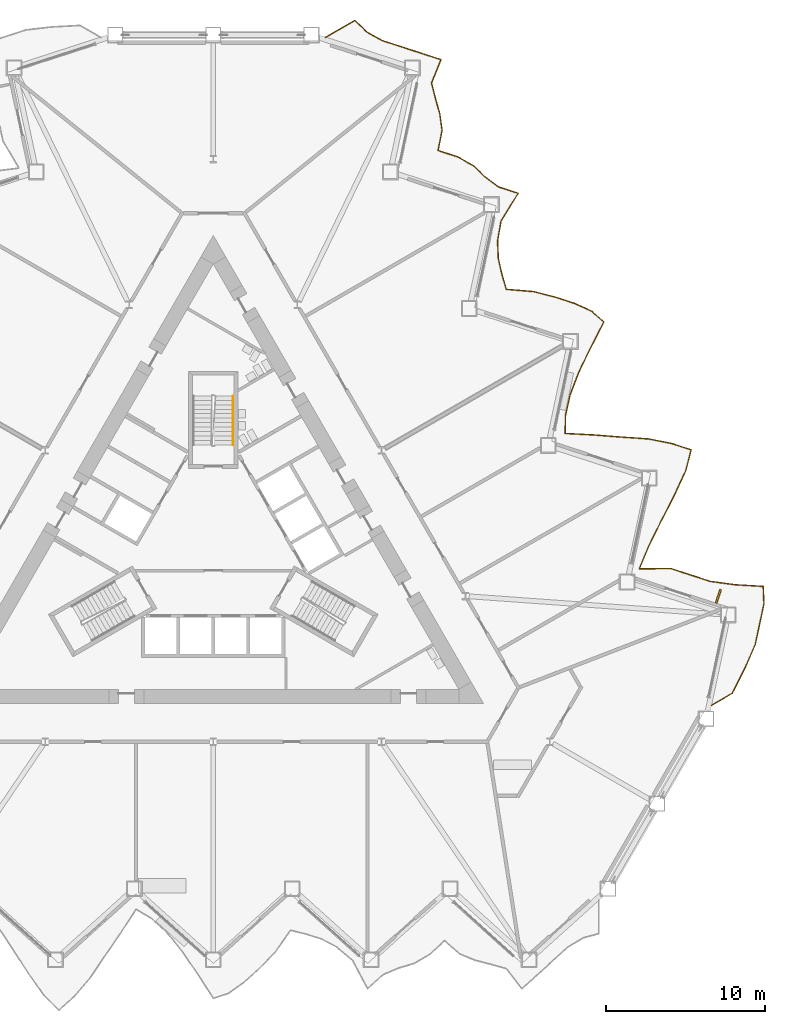
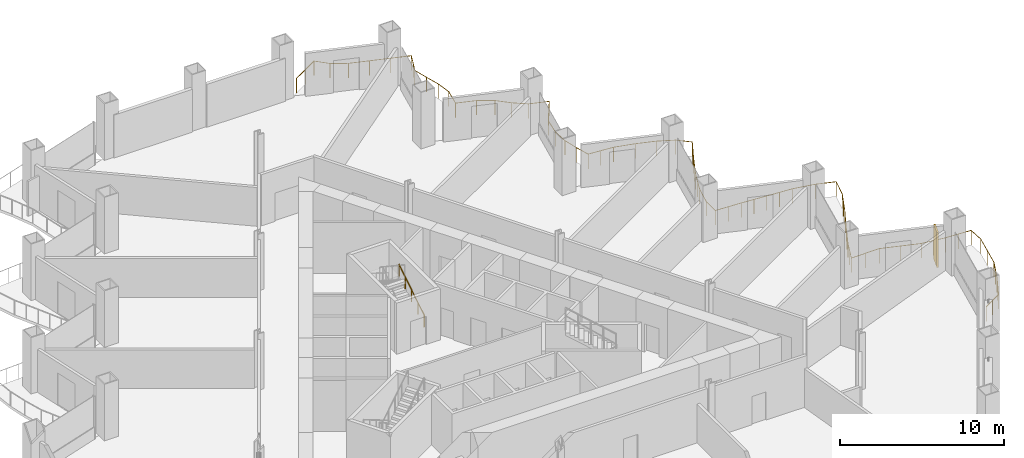
# One storey, part 19 of 21: 2 railings, 1 shading device.
"""IFC4 building model written with IfcOpenShell, lengths in metres."""

from ifc_helpers import new_model, si_unit, direction, frame, origin, origin_2d, place, context, subcontext, project, spatial, rectangle, circle, extrude, material, layer, layer_set, type_object, element, save


model = new_model("IFC4")

# Units and contexts
model_context = context("Model", 3, precision=1e-05, world=origin(), true_north=direction((0.0, 1.0)))
body_context = subcontext(model_context, "Body", "Model", "MODEL_VIEW")
ifc_project = project(units=[si_unit("LENGTHUNIT", "METRE"), si_unit("AREAUNIT", "SQUARE_METRE"), si_unit("VOLUMEUNIT", "CUBIC_METRE"), si_unit("PLANEANGLEUNIT", "RADIAN"), si_unit("MASSUNIT", "GRAM", prefix="KILO")], contexts=[model_context])

# Site, building, storey
site_placement = place(None, origin())
site = spatial("IfcSite", under=ifc_project, at=site_placement, CompositionType="ELEMENT")
building_placement = place(site_placement, origin())
building = spatial("IfcBuilding", under=site, at=building_placement, Name="Cormorant Prow Tower", CompositionType="ELEMENT")
storey_placement = place(building_placement, frame((0.0, 0.0, 42.60009765625)))
storey = spatial("IfcBuildingStorey", under=building, at=storey_placement, Name="L08", CompositionType="ELEMENT", Elevation=42.60009765625)

# Railings
ifc_material_1 = material(Name="Aluminium 6063-T6", Category="aluminium")
railing_type_1 = type_object("IfcRailingType", Name="Balcony guard 1100", PredefinedType="GUARDRAIL", material=ifc_material_1)
railing_1_placement = place(storey_placement, frame((31.3291015625, -9.928955078125, 0.0)))
element("IfcRailing", 1, at=railing_1_placement, inside=storey, type_object=railing_type_1, Name="Balcony guard ENE", PredefinedType="GUARDRAIL", context=body_context, shape_type="SweptSolid", body=[
    extrude(circle(Radius=0.02392578125, at=origin_2d()), frame((0.0, 0.0, 1.076171875), z_axis=(0.866030456496, 0.499991248344, 0.0), x_axis=(-0.499991248344, 0.866030456496, 0.0)), (0.0, 0.0, 1.0), 1.52001953125),
    extrude(circle(Radius=0.02392578125, at=origin_2d()), frame((1.31640625, 0.760009765625, 1.076171875), z_axis=(0.451937076677, 0.892049818522, 0.0), x_axis=(-0.892049818522, 0.451937076677, 0.0)), (0.0, 0.0, 1.0), 1.775634765625),
    extrude(circle(Radius=0.02392578125, at=origin_2d()), frame((2.118896484375, 2.343994140625, 1.076171875), z_axis=(0.39848525464, 0.917174738986, 0.0), x_axis=(-0.917174738986, 0.39848525464, 0.0)), (0.0, 0.0, 1.0), 1.630859375),
    extrude(circle(Radius=0.02392578125, at=origin_2d()), frame((2.768798828125, 3.83984375, 1.076171875), z_axis=(0.207894531291, 0.978151247946, 0.0), x_axis=(-0.978151247946, 0.207894531291, 0.0)), (0.0, 0.0, 1.0), 1.305908203125),
    extrude(circle(Radius=0.02392578125, at=origin_2d()), frame((3.040283203125, 5.1171875, 1.076171875), z_axis=(0.207856520253, 0.978159325973, 0.0), x_axis=(-0.978159325973, 0.207856520253, 0.0)), (0.0, 0.0, 1.0), 1.30615234375),
    extrude(circle(Radius=0.02392578125, at=origin_2d()), frame((3.311767578125, 6.394775390625, 1.076171875), z_axis=(-0.042827380547, 0.999082486823, 0.0), x_axis=(-0.999082486823, -0.042827380547, 0.0)), (0.0, 0.0, 1.0), 1.094482421875),
    extrude(circle(Radius=0.02392578125, at=origin_2d()), frame((3.264892578125, 7.48828125, 1.076171875), z_axis=(-0.998305217064, 0.058195305509, 0.0), x_axis=(-0.058195305509, -0.998305217064, 0.0)), (0.0, 0.0, 1.0), 1.76611328125),
    extrude(circle(Radius=0.02392578125, at=origin_2d()), frame((1.501708984375, 7.591064453125, 1.076171875), z_axis=(-0.990928266356, 0.134391855916, 0.0), x_axis=(-0.134391855916, -0.990928266356, 0.0)), (0.0, 0.0, 1.0), 1.5859375),
    extrude(circle(Radius=0.02392578125, at=origin_2d()), frame((-0.06982421875, 7.80419921875, 1.076171875), z_axis=(-0.951067031183, 0.308984631004, 0.0), x_axis=(-0.308984631004, -0.951067031183, 0.0)), (0.0, 0.0, 1.0), 1.30615234375),
    extrude(circle(Radius=0.02392578125, at=origin_2d()), frame((-1.31201171875, 8.207763671875, 1.076171875), z_axis=(-0.951012089022, 0.309153694033, 0.0), x_axis=(-0.309153694033, -0.951012089022, 0.0)), (0.0, 0.0, 1.0), 1.30615234375),
    extrude(circle(Radius=0.02392578125, at=origin_2d()), frame((-2.55419921875, 8.611572265625, 1.076171875), z_axis=(-0.999956902036, -0.009284076214, 0.0), x_axis=(0.009284076214, -0.999956902036, 0.0)), (0.0, 0.0, 1.0), 1.97216796875),
    extrude(circle(Radius=0.02392578125, at=origin_2d()), frame((-4.5263671875, 8.59326171875, 1.076171875), z_axis=(0.384029357558, 0.923320882756, 0.0), x_axis=(-0.923320882756, 0.384029357558, 0.0)), (0.0, 0.0, 1.0), 1.59765625),
    extrude(circle(Radius=0.02392578125, at=origin_2d()), frame((-3.912841796875, 10.068359375, 1.076171875), z_axis=(0.444874286248, 0.895593026679, 0.0), x_axis=(-0.895593026679, 0.444874286248, 0.0)), (0.0, 0.0, 1.0), 1.75439453125),
    extrude(circle(Radius=0.02392578125, at=origin_2d()), frame((-3.13232421875, 11.6396484375, 1.076171875), z_axis=(0.456252917829, 0.889850141862, 0.0), x_axis=(-0.889850141862, 0.456252917829, 0.0)), (0.0, 0.0, 1.0), 1.788818359375),
    extrude(circle(Radius=0.02392578125, at=origin_2d()), frame((-2.316162109375, 13.2314453125, 1.076171875), z_axis=(0.421357614178, 0.906894569933, 0.0), x_axis=(-0.906894569933, 0.421357614178, 0.0)), (0.0, 0.0, 1.0), 1.68896484375),
    extrude(circle(Radius=0.02392578125, at=origin_2d()), frame((-1.6044921875, 14.76318359375, 1.076171875), z_axis=(0.247192643153, 0.968966355025, 0.0), x_axis=(-0.968966355025, 0.247192643153, 0.0)), (0.0, 0.0, 1.0), 1.35595703125),
    extrude(circle(Radius=0.02392578125, at=origin_2d()), frame((-1.269287109375, 16.0771484375, 1.076171875), z_axis=(-0.951067031183, 0.308984631004, 0.0), x_axis=(-0.308984631004, -0.951067031183, 0.0)), (0.0, 0.0, 1.0), 1.30615234375),
    extrude(circle(Radius=0.02392578125, at=origin_2d()), frame((-2.511474609375, 16.480712890625, 1.076171875), z_axis=(-0.9812990528, 0.192489399639, 0.0), x_axis=(-0.192489399639, -0.9812990528, 0.0)), (0.0, 0.0, 1.0), 1.476318359375),
    extrude(circle(Radius=0.02392578125, at=origin_2d()), frame((-3.960205078125, 16.764892578125, 1.076171875), z_axis=(-0.99769363246, 0.067877947443, 0.0), x_axis=(-0.067877947443, -0.99769363246, 0.0)), (0.0, 0.0, 1.0), 1.74072265625),
    extrude(circle(Radius=0.02392578125, at=origin_2d()), frame((-5.697021484375, 16.883056640625, 1.076171875), z_axis=(-0.996974392807, 0.077730689486, 0.0), x_axis=(-0.077730689486, -0.996974392807, 0.0)), (0.0, 0.0, 1.0), 1.71484375),
    extrude(circle(Radius=0.02392578125, at=origin_2d()), frame((-7.40673828125, 17.016357421875, 1.076171875), z_axis=(-0.998683894035, 0.051288203268, 0.0), x_axis=(-0.051288203268, -0.998683894035, 0.0)), (0.0, 0.0, 1.0), 1.78515625),
    extrude(circle(Radius=0.02392578125, at=origin_2d()), frame((-9.189453125, 17.10791015625, 1.076171875), z_axis=(0.014901153141, 0.999888971654, 0.0), x_axis=(-0.999888971654, 0.014901153141, 0.0)), (0.0, 0.0, 1.0), 1.130615234375),
    extrude(circle(Radius=0.02392578125, at=origin_2d()), frame((-9.172607421875, 18.23828125, 1.076171875), z_axis=(0.218732722516, 0.975784810345, 0.0), x_axis=(-0.975784810345, 0.218732722516, 0.0)), (0.0, 0.0, 1.0), 1.3193359375),
    extrude(circle(Radius=0.02392578125, at=origin_2d()), frame((-8.884033203125, 19.525634765625, 1.076171875), z_axis=(0.359561509634, 0.933121385882, 0.0), x_axis=(-0.933121385882, 0.359561509634, 0.0)), (0.0, 0.0, 1.0), 1.544677734375),
    extrude(circle(Radius=0.02392578125, at=origin_2d()), frame((-8.32861328125, 20.967041015625, 1.076171875), z_axis=(0.434658027233, 0.900595580359, 0.0), x_axis=(-0.900595580359, 0.434658027233, 0.0)), (0.0, 0.0, 1.0), 1.724853515625),
    extrude(circle(Radius=0.02392578125, at=origin_2d()), frame((-7.578857421875, 22.5205078125, 1.076171875), z_axis=(0.457584866633, 0.889165951793, 0.0), x_axis=(-0.889165951793, 0.457584866633, 0.0)), (0.0, 0.0, 1.0), 1.793212890625),
    extrude(circle(Radius=0.02392578125, at=origin_2d()), frame((-6.75830078125, 24.114990234375, 1.076171875), z_axis=(-0.74665768623, 0.66520846326, 0.0), x_axis=(-0.66520846326, -0.74665768623, 0.0)), (0.0, 0.0, 1.0), 1.022216796875),
    extrude(circle(Radius=0.02392578125, at=origin_2d()), frame((-7.521484375, 24.794921875, 1.076171875), z_axis=(-0.909867877783, 0.414898113974, 0.0), x_axis=(-0.414898113974, -0.909867877783, 0.0)), (0.0, 0.0, 1.0), 1.192138671875),
    extrude(circle(Radius=0.02392578125, at=origin_2d()), frame((-8.606201171875, 25.28955078125, 1.076171875), z_axis=(-0.951104117502, 0.308870454514, 0.0), x_axis=(-0.308870454514, -0.951104117502, 0.0)), (0.0, 0.0, 1.0), 1.305908203125),
    extrude(circle(Radius=0.02392578125, at=origin_2d()), frame((-9.84814453125, 25.69287109375, 1.076171875), z_axis=(-0.969321725621, 0.245795427619, 0.0), x_axis=(-0.245795427619, -0.969321725621, 0.0)), (0.0, 0.0, 1.0), 1.3916015625),
    extrude(circle(Radius=0.02392578125, at=origin_2d()), frame((-11.197021484375, 26.034912109375, 1.076171875), z_axis=(-0.996719078187, 0.080938737196, 0.0), x_axis=(-0.080938737196, -0.996719078187, 0.0)), (0.0, 0.0, 1.0), 1.707275390625),
    extrude(circle(Radius=0.02392578125, at=origin_2d()), frame((-12.898681640625, 26.173095703125, 1.076171875), z_axis=(-0.276623125557, 0.960978483842, 0.0), x_axis=(-0.960978483842, -0.276623125557, 0.0)), (0.0, 0.0, 1.0), 1.0),
    extrude(circle(Radius=0.02392578125, at=origin_2d()), frame((-13.17529296875, 27.134033203125, 1.076171875), z_axis=(-0.219752211959, 0.975555721289, 0.0), x_axis=(-0.975555721289, -0.219752211959, 0.0)), (0.0, 0.0, 1.0), 1.0166015625),
    extrude(circle(Radius=0.02392578125, at=origin_2d()), frame((-13.398681640625, 28.125732421875, 1.076171875), z_axis=(-0.03985245054, 0.999205575538, 0.0), x_axis=(-0.999205575538, -0.03985245054, 0.0)), (0.0, 0.0, 1.0), 1.0966796875),
    extrude(circle(Radius=0.02392578125, at=origin_2d()), frame((-13.4423828125, 29.221435546875, 1.076171875), z_axis=(0.172122886005, 0.98507548549, 0.0), x_axis=(-0.98507548549, 0.172122886005, 0.0)), (0.0, 0.0, 1.0), 1.26513671875),
    extrude(circle(Radius=0.02392578125, at=origin_2d()), frame((-13.224609375, 30.4677734375, 1.076171875), z_axis=(0.52663716497, 0.850090169613, 0.0), x_axis=(-0.850090169613, 0.52663716497, 0.0)), (0.0, 0.0, 1.0), 2.05224609375),
    extrude(circle(Radius=0.02392578125, at=origin_2d()), frame((-12.143798828125, 32.21240234375, 1.076171875), z_axis=(-0.951067031183, 0.308984631004, 0.0), x_axis=(-0.308984631004, -0.951067031183, 0.0)), (0.0, 0.0, 1.0), 1.30615234375),
    extrude(circle(Radius=0.02392578125, at=origin_2d()), frame((-13.385986328125, 32.615966796875, 1.076171875), z_axis=(-0.801080678343, 0.598556385636, 0.0), x_axis=(-0.598556385636, -0.801080678343, 0.0)), (0.0, 0.0, 1.0), 1.055908203125),
    extrude(circle(Radius=0.02392578125, at=origin_2d()), frame((-14.23193359375, 33.248046875, 1.076171875), z_axis=(-0.724149407876, 0.689643121529, 0.0), x_axis=(-0.689643121529, -0.724149407876, 0.0)), (0.0, 0.0, 1.0), 1.01171875),
    extrude(circle(Radius=0.02392578125, at=origin_2d()), frame((-14.964599609375, 33.94580078125, 1.076171875), z_axis=(-0.869429020821, 0.494057868832, 0.0), x_axis=(-0.494057868832, -0.869429020821, 0.0)), (0.0, 0.0, 1.0), 1.125244140625),
    extrude(circle(Radius=0.02392578125, at=origin_2d()), frame((-15.94287109375, 34.501708984375, 1.076171875), z_axis=(-0.951067031183, 0.308984631004, 0.0), x_axis=(-0.308984631004, -0.951067031183, 0.0)), (0.0, 0.0, 1.0), 1.30615234375),
    extrude(circle(Radius=0.02392578125, at=origin_2d()), frame((-17.18505859375, 34.9052734375, 1.076171875), z_axis=(0.194842725712, 0.980834497883, 0.0), x_axis=(-0.980834497883, 0.194842725712, 0.0)), (0.0, 0.0, 1.0), 1.29052734375),
    extrude(circle(Radius=0.02392578125, at=origin_2d()), frame((-16.93359375, 36.171142578125, 1.076171875), z_axis=(-0.13926555414, 0.990255070893, 0.0), x_axis=(-0.990255070893, -0.13926555414, 0.0)), (0.0, 0.0, 1.0), 1.046630859375),
    extrude(circle(Radius=0.02392578125, at=origin_2d()), frame((-17.079345703125, 37.20751953125, 1.076171875), z_axis=(-0.266350260628, 0.963876308799, 0.0), x_axis=(-0.963876308799, -0.266350260628, 0.0)), (0.0, 0.0, 1.0), 1.002685546875),
    extrude(circle(Radius=0.02392578125, at=origin_2d()), frame((-17.346435546875, 38.174072265625, 1.076171875), z_axis=(-0.248118837614, 0.968729602325, 0.0), x_axis=(-0.968729602325, -0.248118837614, 0.0)), (0.0, 0.0, 1.0), 1.007568359375),
    extrude(circle(Radius=0.02392578125, at=origin_2d()), frame((-17.596435546875, 39.150146484375, 1.076171875), z_axis=(0.378416940637, 0.925635251619, 0.0), x_axis=(-0.925635251619, 0.378416940637, 0.0)), (0.0, 0.0, 1.0), 1.585205078125),
    extrude(circle(Radius=0.02392578125, at=origin_2d()), frame((-16.99658203125, 40.617431640625, 1.076171875), z_axis=(-0.951049180551, 0.309039570562, 0.0), x_axis=(-0.309039570562, -0.951049180551, 0.0)), (0.0, 0.0, 1.0), 1.305908203125),
    extrude(circle(Radius=0.02392578125, at=origin_2d()), frame((-18.238525390625, 41.02099609375, 1.076171875), z_axis=(-0.951067031183, 0.308984631004, 0.0), x_axis=(-0.308984631004, -0.951067031183, 0.0)), (0.0, 0.0, 1.0), 1.30615234375),
    extrude(circle(Radius=0.02392578125, at=origin_2d()), frame((-19.480712890625, 41.424560546875, 1.076171875), z_axis=(-0.951049180551, 0.309039570562, 0.0), x_axis=(-0.309039570562, -0.951049180551, 0.0)), (0.0, 0.0, 1.0), 1.305908203125),
    extrude(circle(Radius=0.02392578125, at=origin_2d()), frame((-20.72265625, 41.828125, 1.076171875), z_axis=(-0.872520761391, 0.488577036854, 0.0), x_axis=(-0.488577036854, -0.872520761391, 0.0)), (0.0, 0.0, 1.0), 1.12939453125),
    extrude(circle(Radius=0.02392578125, at=origin_2d()), frame((-21.7080078125, 42.3798828125, 1.076171875), z_axis=(-0.706985295616, 0.707228245889, 0.0), x_axis=(-0.707228245889, -0.706985295616, 0.0)), (0.0, 0.0, 1.0), 1.0048828125),
    extrude(circle(Radius=0.02392578125, at=origin_2d()), frame((-22.41845703125, 43.090576171875, 1.076171875), z_axis=(-0.865948903286, -0.500132479346, 0.0), x_axis=(0.500132479346, -0.865948903286, 0.0)), (0.0, 0.0, 1.0), 2.13037109375),
    extrude(circle(Radius=0.02099609375, at=origin_2d()), origin(), (0.0, 0.0, 1.0), 1.052001953125),
    extrude(circle(Radius=0.02099609375, at=origin_2d()), frame((0.658203125, 0.3798828125, 0.0)), (0.0, 0.0, 1.0), 1.052001953125),
    extrude(circle(Radius=0.02099609375, at=origin_2d()), frame((1.31640625, 0.760009765625, 0.0)), (0.0, 0.0, 1.0), 1.052001953125),
    extrude(circle(Radius=0.02099609375, at=origin_2d()), frame((1.7177734375, 1.552001953125, 0.0)), (0.0, 0.0, 1.0), 1.052001953125),
    extrude(circle(Radius=0.02099609375, at=origin_2d()), frame((2.118896484375, 2.343994140625, 0.0)), (0.0, 0.0, 1.0), 1.052001953125),
    extrude(circle(Radius=0.02099609375, at=origin_2d()), frame((2.44384765625, 3.091796875, 0.0)), (0.0, 0.0, 1.0), 1.052001953125),
    extrude(circle(Radius=0.02099609375, at=origin_2d()), frame((2.768798828125, 3.83984375, 0.0)), (0.0, 0.0, 1.0), 1.052001953125),
    extrude(circle(Radius=0.02099609375, at=origin_2d()), frame((3.040283203125, 5.1171875, 0.0)), (0.0, 0.0, 1.0), 1.052001953125),
    extrude(circle(Radius=0.02099609375, at=origin_2d()), frame((3.311767578125, 6.394775390625, 0.0)), (0.0, 0.0, 1.0), 1.052001953125),
    extrude(circle(Radius=0.02099609375, at=origin_2d()), frame((3.264892578125, 7.48828125, 0.0)), (0.0, 0.0, 1.0), 1.052001953125),
    extrude(circle(Radius=0.02099609375, at=origin_2d()), frame((2.38330078125, 7.53955078125, 0.0)), (0.0, 0.0, 1.0), 1.052001953125),
    extrude(circle(Radius=0.02099609375, at=origin_2d()), frame((1.501708984375, 7.591064453125, 0.0)), (0.0, 0.0, 1.0), 1.052001953125),
    extrude(circle(Radius=0.02099609375, at=origin_2d()), frame((0.7158203125, 7.69775390625, 0.0)), (0.0, 0.0, 1.0), 1.052001953125),
    extrude(circle(Radius=0.02099609375, at=origin_2d()), frame((-0.06982421875, 7.80419921875, 0.0)), (0.0, 0.0, 1.0), 1.052001953125),
    extrude(circle(Radius=0.02099609375, at=origin_2d()), frame((-1.31201171875, 8.207763671875, 0.0)), (0.0, 0.0, 1.0), 1.052001953125),
    extrude(circle(Radius=0.02099609375, at=origin_2d()), frame((-2.55419921875, 8.611572265625, 0.0)), (0.0, 0.0, 1.0), 1.052001953125),
    extrude(circle(Radius=0.02099609375, at=origin_2d()), frame((-3.540283203125, 8.6025390625, 0.0)), (0.0, 0.0, 1.0), 1.052001953125),
    extrude(circle(Radius=0.02099609375, at=origin_2d()), frame((-4.5263671875, 8.59326171875, 0.0)), (0.0, 0.0, 1.0), 1.052001953125),
    extrude(circle(Radius=0.02099609375, at=origin_2d()), frame((-4.2197265625, 9.330810546875, 0.0)), (0.0, 0.0, 1.0), 1.052001953125),
    extrude(circle(Radius=0.02099609375, at=origin_2d()), frame((-3.912841796875, 10.068359375, 0.0)), (0.0, 0.0, 1.0), 1.052001953125),
    extrude(circle(Radius=0.02099609375, at=origin_2d()), frame((-3.5224609375, 10.85400390625, 0.0)), (0.0, 0.0, 1.0), 1.052001953125),
    extrude(circle(Radius=0.02099609375, at=origin_2d()), frame((-3.13232421875, 11.6396484375, 0.0)), (0.0, 0.0, 1.0), 1.052001953125),
    extrude(circle(Radius=0.02099609375, at=origin_2d()), frame((-2.72412109375, 12.435546875, 0.0)), (0.0, 0.0, 1.0), 1.052001953125),
    extrude(circle(Radius=0.02099609375, at=origin_2d()), frame((-2.316162109375, 13.2314453125, 0.0)), (0.0, 0.0, 1.0), 1.052001953125),
    extrude(circle(Radius=0.02099609375, at=origin_2d()), frame((-1.96044921875, 13.997314453125, 0.0)), (0.0, 0.0, 1.0), 1.052001953125),
    extrude(circle(Radius=0.02099609375, at=origin_2d()), frame((-1.6044921875, 14.76318359375, 0.0)), (0.0, 0.0, 1.0), 1.052001953125),
    extrude(circle(Radius=0.02099609375, at=origin_2d()), frame((-1.269287109375, 16.0771484375, 0.0)), (0.0, 0.0, 1.0), 1.052001953125),
    extrude(circle(Radius=0.02099609375, at=origin_2d()), frame((-2.511474609375, 16.480712890625, 0.0)), (0.0, 0.0, 1.0), 1.052001953125),
    extrude(circle(Radius=0.02099609375, at=origin_2d()), frame((-3.960205078125, 16.764892578125, 0.0)), (0.0, 0.0, 1.0), 1.052001953125),
    extrude(circle(Radius=0.02099609375, at=origin_2d()), frame((-4.82861328125, 16.823974609375, 0.0)), (0.0, 0.0, 1.0), 1.052001953125),
    extrude(circle(Radius=0.02099609375, at=origin_2d()), frame((-5.697021484375, 16.883056640625, 0.0)), (0.0, 0.0, 1.0), 1.052001953125),
    extrude(circle(Radius=0.02099609375, at=origin_2d()), frame((-6.5517578125, 16.94970703125, 0.0)), (0.0, 0.0, 1.0), 1.052001953125),
    extrude(circle(Radius=0.02099609375, at=origin_2d()), frame((-7.40673828125, 17.016357421875, 0.0)), (0.0, 0.0, 1.0), 1.052001953125),
    extrude(circle(Radius=0.02099609375, at=origin_2d()), frame((-8.298095703125, 17.06201171875, 0.0)), (0.0, 0.0, 1.0), 1.052001953125),
    extrude(circle(Radius=0.02099609375, at=origin_2d()), frame((-9.189453125, 17.10791015625, 0.0)), (0.0, 0.0, 1.0), 1.052001953125),
    extrude(circle(Radius=0.02099609375, at=origin_2d()), frame((-9.172607421875, 18.23828125, 0.0)), (0.0, 0.0, 1.0), 1.052001953125),
    extrude(circle(Radius=0.02099609375, at=origin_2d()), frame((-8.884033203125, 19.525634765625, 0.0)), (0.0, 0.0, 1.0), 1.052001953125),
    extrude(circle(Radius=0.02099609375, at=origin_2d()), frame((-8.6064453125, 20.246337890625, 0.0)), (0.0, 0.0, 1.0), 1.052001953125),
    extrude(circle(Radius=0.02099609375, at=origin_2d()), frame((-8.32861328125, 20.967041015625, 0.0)), (0.0, 0.0, 1.0), 1.052001953125),
    extrude(circle(Radius=0.02099609375, at=origin_2d()), frame((-7.95361328125, 21.74365234375, 0.0)), (0.0, 0.0, 1.0), 1.052001953125),
    extrude(circle(Radius=0.02099609375, at=origin_2d()), frame((-7.578857421875, 22.5205078125, 0.0)), (0.0, 0.0, 1.0), 1.052001953125),
    extrude(circle(Radius=0.02099609375, at=origin_2d()), frame((-7.16845703125, 23.31787109375, 0.0)), (0.0, 0.0, 1.0), 1.052001953125),
    extrude(circle(Radius=0.02099609375, at=origin_2d()), frame((-6.75830078125, 24.114990234375, 0.0)), (0.0, 0.0, 1.0), 1.052001953125),
    extrude(circle(Radius=0.02099609375, at=origin_2d()), frame((-7.521484375, 24.794921875, 0.0)), (0.0, 0.0, 1.0), 1.052001953125),
    extrude(circle(Radius=0.02099609375, at=origin_2d()), frame((-8.606201171875, 25.28955078125, 0.0)), (0.0, 0.0, 1.0), 1.052001953125),
    extrude(circle(Radius=0.02099609375, at=origin_2d()), frame((-9.84814453125, 25.69287109375, 0.0)), (0.0, 0.0, 1.0), 1.052001953125),
    extrude(circle(Radius=0.02099609375, at=origin_2d()), frame((-11.197021484375, 26.034912109375, 0.0)), (0.0, 0.0, 1.0), 1.052001953125),
    extrude(circle(Radius=0.02099609375, at=origin_2d()), frame((-12.0478515625, 26.10400390625, 0.0)), (0.0, 0.0, 1.0), 1.052001953125),
    extrude(circle(Radius=0.02099609375, at=origin_2d()), frame((-12.898681640625, 26.173095703125, 0.0)), (0.0, 0.0, 1.0), 1.052001953125),
    extrude(circle(Radius=0.02099609375, at=origin_2d()), frame((-13.17529296875, 27.134033203125, 0.0)), (0.0, 0.0, 1.0), 1.052001953125),
    extrude(circle(Radius=0.02099609375, at=origin_2d()), frame((-13.398681640625, 28.125732421875, 0.0)), (0.0, 0.0, 1.0), 1.052001953125),
    extrude(circle(Radius=0.02099609375, at=origin_2d()), frame((-13.4423828125, 29.221435546875, 0.0)), (0.0, 0.0, 1.0), 1.052001953125),
    extrude(circle(Radius=0.02099609375, at=origin_2d()), frame((-13.224609375, 30.4677734375, 0.0)), (0.0, 0.0, 1.0), 1.052001953125),
    extrude(circle(Radius=0.02099609375, at=origin_2d()), frame((-12.68408203125, 31.340087890625, 0.0)), (0.0, 0.0, 1.0), 1.052001953125),
    extrude(circle(Radius=0.02099609375, at=origin_2d()), frame((-12.143798828125, 32.21240234375, 0.0)), (0.0, 0.0, 1.0), 1.052001953125),
    extrude(circle(Radius=0.02099609375, at=origin_2d()), frame((-13.385986328125, 32.615966796875, 0.0)), (0.0, 0.0, 1.0), 1.052001953125),
    extrude(circle(Radius=0.02099609375, at=origin_2d()), frame((-14.23193359375, 33.248046875, 0.0)), (0.0, 0.0, 1.0), 1.052001953125),
    extrude(circle(Radius=0.02099609375, at=origin_2d()), frame((-14.964599609375, 33.94580078125, 0.0)), (0.0, 0.0, 1.0), 1.052001953125),
    extrude(circle(Radius=0.02099609375, at=origin_2d()), frame((-15.94287109375, 34.501708984375, 0.0)), (0.0, 0.0, 1.0), 1.052001953125),
    extrude(circle(Radius=0.02099609375, at=origin_2d()), frame((-17.18505859375, 34.9052734375, 0.0)), (0.0, 0.0, 1.0), 1.052001953125),
    extrude(circle(Radius=0.02099609375, at=origin_2d()), frame((-16.93359375, 36.171142578125, 0.0)), (0.0, 0.0, 1.0), 1.052001953125),
    extrude(circle(Radius=0.02099609375, at=origin_2d()), frame((-17.079345703125, 37.20751953125, 0.0)), (0.0, 0.0, 1.0), 1.052001953125),
    extrude(circle(Radius=0.02099609375, at=origin_2d()), frame((-17.346435546875, 38.174072265625, 0.0)), (0.0, 0.0, 1.0), 1.052001953125),
    extrude(circle(Radius=0.02099609375, at=origin_2d()), frame((-17.596435546875, 39.150146484375, 0.0)), (0.0, 0.0, 1.0), 1.052001953125),
    extrude(circle(Radius=0.02099609375, at=origin_2d()), frame((-17.29638671875, 39.8837890625, 0.0)), (0.0, 0.0, 1.0), 1.052001953125),
    extrude(circle(Radius=0.02099609375, at=origin_2d()), frame((-16.99658203125, 40.617431640625, 0.0)), (0.0, 0.0, 1.0), 1.052001953125),
    extrude(circle(Radius=0.02099609375, at=origin_2d()), frame((-18.238525390625, 41.02099609375, 0.0)), (0.0, 0.0, 1.0), 1.052001953125),
    extrude(circle(Radius=0.02099609375, at=origin_2d()), frame((-19.480712890625, 41.424560546875, 0.0)), (0.0, 0.0, 1.0), 1.052001953125),
    extrude(circle(Radius=0.02099609375, at=origin_2d()), frame((-20.72265625, 41.828125, 0.0)), (0.0, 0.0, 1.0), 1.052001953125),
    extrude(circle(Radius=0.02099609375, at=origin_2d()), frame((-21.7080078125, 42.3798828125, 0.0)), (0.0, 0.0, 1.0), 1.052001953125),
    extrude(circle(Radius=0.02099609375, at=origin_2d()), frame((-22.41845703125, 43.090576171875, 0.0)), (0.0, 0.0, 1.0), 1.052001953125),
    extrude(circle(Radius=0.02099609375, at=origin_2d()), frame((-23.3408203125, 42.557861328125, 0.0)), (0.0, 0.0, 1.0), 1.052001953125),
    extrude(circle(Radius=0.02099609375, at=origin_2d()), frame((-24.26318359375, 42.025146484375, 0.0)), (0.0, 0.0, 1.0), 1.052001953125),
])
ifc_material_2 = material(Name="Stainless steel", Category="steel")
railing_type_2 = type_object("IfcRailingType", Name="Stair handrail 900", PredefinedType="HANDRAIL", material=ifc_material_2)
railing_2_placement = place(storey_placement, frame((1.243896484375, 6.455810546875, 0.1748046875)))
element("IfcRailing", 2, at=railing_2_placement, inside=storey, type_object=railing_type_2, Name="L08 ST3 stair handrail 1", PredefinedType="HANDRAIL", context=body_context, shape_type="SweptSolid", body=[
    extrude(circle(Radius=0.02392578125, at=origin_2d()), frame((0.0, 0.0, 0.8759765625), z_axis=(0.0, 0.847998304005, 0.529998940003), x_axis=(-1.0, 0.0, 0.0)), (0.0, 0.0, 1.0), 3.632080078125),
    extrude(circle(Radius=0.02099609375, at=origin_2d()), origin(), (0.0, 0.0, 1.0), 0.851806640625),
    extrude(circle(Radius=0.02099609375, at=origin_2d()), frame((0.0, 0.77001953125, 0.481201171875)), (0.0, 0.0, 1.0), 0.851806640625),
    extrude(circle(Radius=0.02099609375, at=origin_2d()), frame((0.0, 1.5400390625, 0.96240234375)), (0.0, 0.0, 1.0), 0.851806640625),
    extrude(circle(Radius=0.02099609375, at=origin_2d()), frame((0.0, 2.31005859375, 1.44384765625)), (0.0, 0.0, 1.0), 0.851806640625),
    extrude(circle(Radius=0.02099609375, at=origin_2d()), frame((0.0, 3.080078125, 1.925048828125)), (0.0, 0.0, 1.0), 0.851806640625),
])

# Shading device
ifc_material_3 = material(Name="Terracotta", Category="masonry")
ifc_layer = layer(ifc_material_3, 0.1201171875)
ifc_layer_set = layer_set([ifc_layer], Name="Terracotta")
shading_device_type = type_object("IfcShadingDeviceType", Name="Terracotta baguette fin 120x900x2600", PredefinedType="USERDEFINED", material=ifc_layer_set)
shading_device_placement = place(storey_placement, frame((31.77099609375, -3.068115234375, -0.000244140625), z_axis=(0.0, 0.0, 1.0), x_axis=(-0.951056549556, 0.309016892008, 0.0)))
element("IfcShadingDevice", 3, at=shading_device_placement, inside=storey, type_object=shading_device_type, Name="Baguette fin ENE01", ObjectType="BAGUETTE", PredefinedType="USERDEFINED", context=body_context, shape_type="SweptSolid", body=[
    extrude(rectangle(XDim=0.1201171875, YDim=0.89990234375, at=origin_2d()), origin(), (0.0, 0.0, 1.0), 2.60009765625),
])

save(model, "model.ifc")
